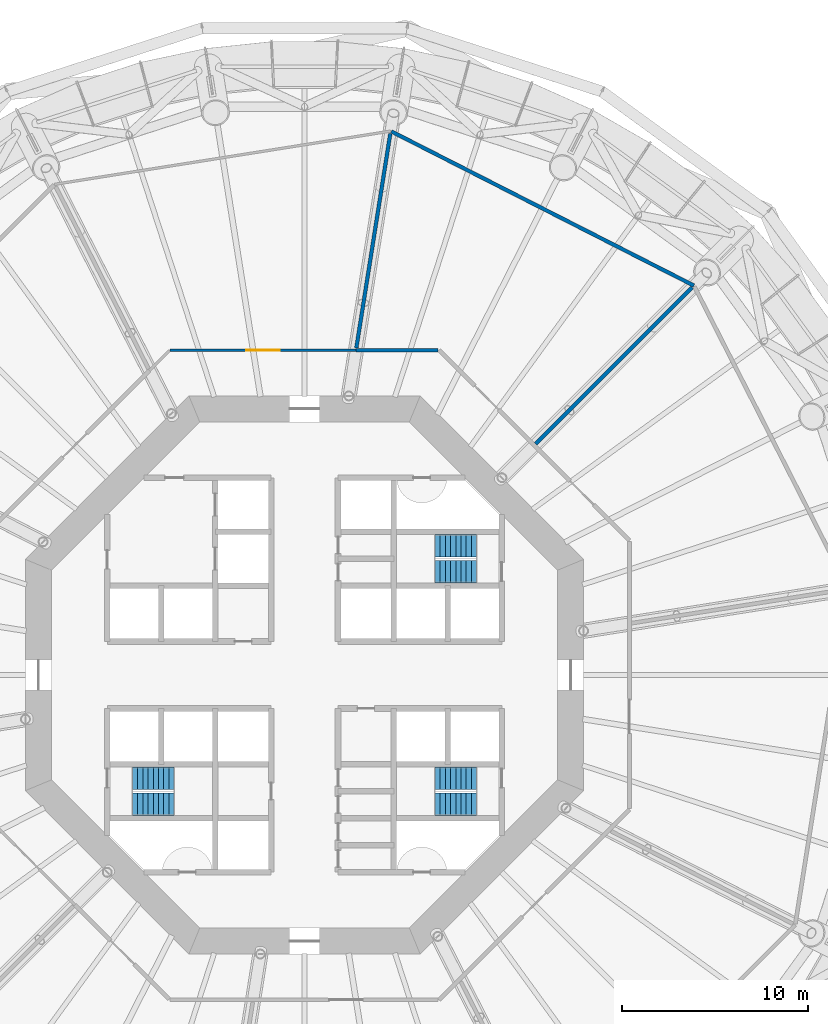
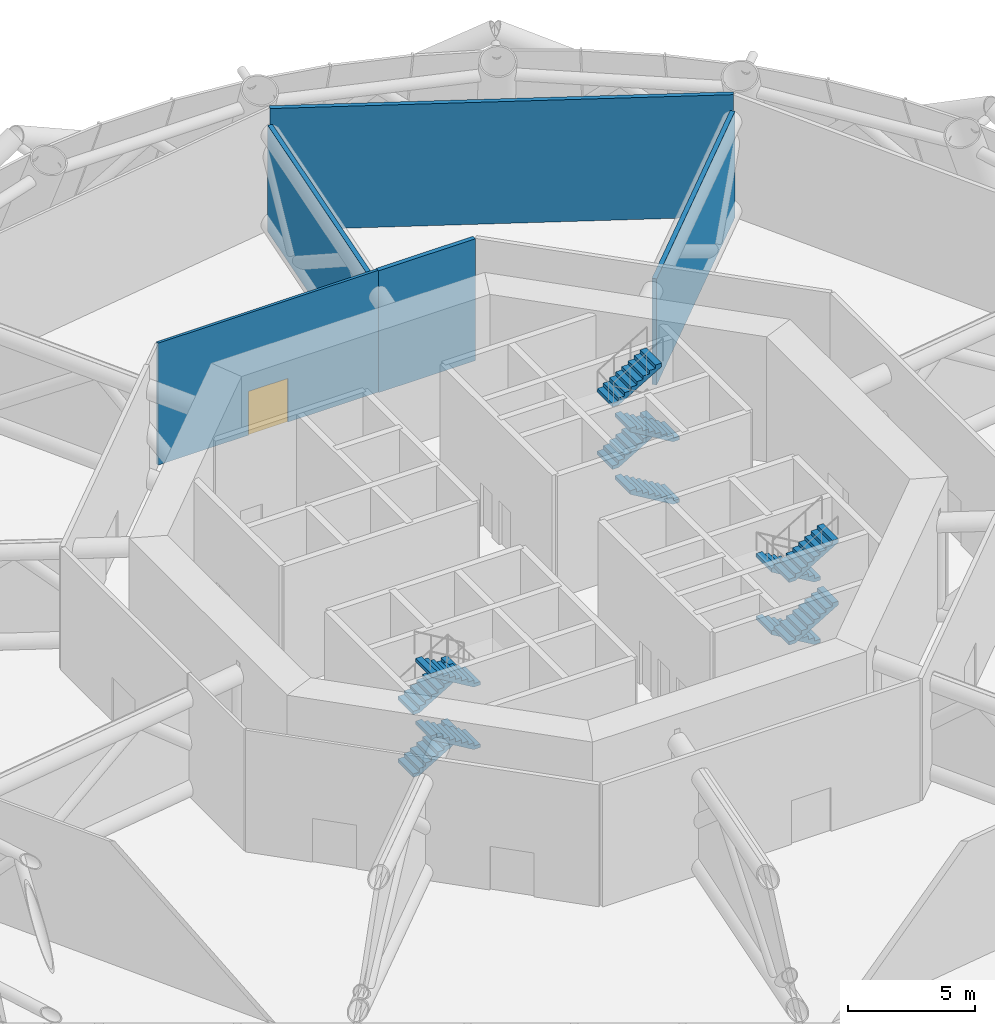
# One storey, part 10 of 14: 12 stair flights, 5 walls, 1 door, 1 opening, 3 elements without a shape of their own.
"""IFC4 building model written with IfcOpenShell, lengths in metres."""

from ifc_helpers import new_model, si_unit, direction, frame, frame_2d, origin, place, context, subcontext, project, spatial, polyline, rectangle, outline, extrude, material, layer, layer_set, type_object, element, fill, aggregate, save


model = new_model("IFC4")

# Units and contexts
model_context = context("Model", 3, precision=1e-05, world=origin(), true_north=direction((0.0, 1.0)))
body_context = subcontext(model_context, "Body", "Model", "MODEL_VIEW")
ifc_project = project(units=[si_unit("LENGTHUNIT", "METRE"), si_unit("AREAUNIT", "SQUARE_METRE"), si_unit("VOLUMEUNIT", "CUBIC_METRE"), si_unit("PLANEANGLEUNIT", "RADIAN"), si_unit("MASSUNIT", "GRAM", prefix="KILO")], contexts=[model_context])

# Site, building, storey
site_placement = place(None, origin())
site = spatial("IfcSite", under=ifc_project, at=site_placement, CompositionType="ELEMENT")
building_placement = place(site_placement, origin())
building = spatial("IfcBuilding", under=site, at=building_placement, Name="Entoto Ring Tower", CompositionType="ELEMENT")
storey_placement = place(building_placement, frame((0.0, 0.0, 74.0)))
storey = spatial("IfcBuildingStorey", under=building, at=storey_placement, Name="L16", CompositionType="ELEMENT", Elevation=74.0)

# Wall, opening, door
ifc_material_1 = material(Name="Fire-resisting plasterboard on steel studs", Category="steel")
ifc_layer_1 = layer(ifc_material_1, 0.125)
ifc_layer_set_1 = layer_set([ifc_layer_1], Name="Fire-resisting plasterboard on steel studs")
wall_type_1 = type_object("IfcWallType", Name="Corridor wall 125 mm one-hour plasterboard on steel studs", PredefinedType="PARTITIONING", material=ifc_layer_set_1)
wall_1_placement = place(storey_placement, frame((82.766845703125, 97.46240234375, 0.0), z_axis=(0.0, 0.0, 1.0), x_axis=(1.0, 0.0, 0.0)))
wall_1 = element("IfcWall", 1, at=wall_1_placement, inside=storey, type_object=wall_type_1, Name="partition-L16-003", PredefinedType="PARTITIONING", context=body_context, shape_type="SweptSolid", body=[
    extrude(rectangle(XDim=9.9990234375, YDim=0.125, at=frame_2d((4.99951171875, 0.0))), origin(), (0.0, 0.0, 1.0), 5.85009765625),
])
opening_placement = place(wall_1_placement, frame((4.099609375, 0.0, 0.0)))
opening = element("IfcOpeningElement", 2, at=opening_placement, cuts=wall_1, Name="Opening A07-D03", PredefinedType="OPENING", context=body_context, shape_type="SweptSolid", body=[
    extrude(rectangle(XDim=1.800048828125, YDim=2.10009765625, at=frame_2d((0.89990234375, 1.050048828125))), frame((0.0, 0.072509765625, 0.0), z_axis=(0.0, -1.0, 0.0), x_axis=(1.0, 0.0, 0.0)), (0.0, 0.0, 1.0), 0.14501953125),
])
ifc_material_2 = material(Name="Fire-resisting timber door set", Category="wood")
door_type = type_object("IfcDoorType", Name="Door 1800 x 2100 double leaf FD30S fire door", OperationType="DOUBLE_DOOR_SINGLE_SWING", PredefinedType="DOOR", material=ifc_material_2)
door_placement = place(opening_placement, origin())
door = element("IfcDoor", 3, at=door_placement, inside=storey, type_object=door_type, Name="Door A07-D03", OperationType="DOUBLE_DOOR_SINGLE_SWING", OverallHeight=2.10009765625, OverallWidth=1.800048828125, PredefinedType="DOOR", context=body_context, shape_type="SweptSolid", body=[
    extrude(rectangle(XDim=1.800048828125, YDim=2.10009765625, at=frame_2d((0.89990234375, 1.050048828125))), frame((0.0, 0.02490234375, 0.0), z_axis=(0.0, -1.0, 0.0), x_axis=(1.0, 0.0, 0.0)), (0.0, 0.0, 1.0), 0.050048828125),
])
fill(opening, door)

# Walls
ifc_material_3 = material(Name="Concrete C20/25", Category="concrete")
ifc_layer_2 = layer(ifc_material_3, 0.199951171875)
ifc_layer_set_2 = layer_set([ifc_layer_2], Name="Concrete C20/25")
wall_type_2 = type_object("IfcWallType", Name="Plant room wall 200 mm two-hour concrete", PredefinedType="PARTITIONING", material=ifc_layer_set_2)
wall_2_placement = place(storey_placement, frame((110.930419921875, 100.930419921875, 0.0), z_axis=(0.0, 0.0, 1.0), x_axis=(-0.891010309201, 0.453983071158, 0.0)))
element("IfcWall", 4, at=wall_2_placement, inside=storey, type_object=wall_type_2, Name="partition-L16-013", PredefinedType="PARTITIONING", context=body_context, shape_type="SweptSolid", body=[
    extrude(rectangle(XDim=18.257568359375, YDim=0.199951171875, at=frame_2d((9.12890625, 0.0))), origin(), (0.0, 0.0, 1.0), 5.85009765625),
])
wall_3_placement = place(storey_placement, frame((92.765869140625, 97.46240234375, 0.0), z_axis=(0.0, 0.0, 1.0), x_axis=(1.0, 0.0, 0.0)))
element("IfcWall", 5, at=wall_3_placement, inside=storey, type_object=wall_type_2, Name="partition-L16-032", PredefinedType="PARTITIONING", context=body_context, shape_type="SweptSolid", body=[
    extrude(rectangle(XDim=4.396728515625, YDim=0.199951171875, at=frame_2d((2.1982421875, 0.0))), origin(), (0.0, 0.0, 1.0), 5.85009765625),
])
ifc_material_4 = material(Name="Concrete C20/25", Category="concrete")
ifc_layer_3 = layer(ifc_material_4, 0.199951171875)
ifc_layer_set_3 = layer_set([ifc_layer_3], Name="Concrete C20/25")
wall_type_3 = type_object("IfcWallType", Name="Plant room wall 200 mm two-hour concrete, 5097 mm high", PredefinedType="PARTITIONING", material=ifc_layer_set_3)
wall_4_placement = place(storey_placement, frame((102.418701171875, 92.418701171875, 0.0), z_axis=(0.0, 0.0, 1.0), x_axis=(0.707106781187, 0.707106781187, 0.0)))
element("IfcWall", 6, at=wall_4_placement, inside=storey, type_object=wall_type_3, Name="partition-L16-021", PredefinedType="PARTITIONING", context=body_context, shape_type="SweptSolid", body=[
    extrude(rectangle(XDim=11.899658203125, YDim=0.199951171875, at=frame_2d((5.94970703125, 0.0))), origin(), (0.0, 0.0, 1.0), 5.096923828125),
])
wall_5_placement = place(storey_placement, frame((92.7841796875, 97.578125, 0.0), z_axis=(0.0, 0.0, 1.0), x_axis=(0.156421461862, 0.987690400008, 0.0)))
element("IfcWall", 7, at=wall_5_placement, inside=storey, type_object=wall_type_3, Name="partition-L16-024", PredefinedType="PARTITIONING", context=body_context, shape_type="SweptSolid", body=[
    extrude(rectangle(XDim=11.665283203125, YDim=0.199951171875, at=frame_2d((5.83251953125, 0.0))), origin(), (0.0, 0.0, 1.0), 5.096923828125),
])

# Stair, stair flights
ifc_material_5 = material(Name="Concrete C40/50", Category="concrete")
stair_type = type_object("IfcStairType", Name="Exit stair 1200 mm dog-leg reinforced concrete", PredefinedType="HALF_TURN_STAIR", material=ifc_material_5)
stair_1_placement = place(storey_placement, origin())
stair_1 = element("IfcStair", 8, at=stair_1_placement, inside=storey, type_object=stair_type, Name="Exit stair 1", PredefinedType="HALF_TURN_STAIR")
ifc_material_6 = material(Name="Concrete C40/50", Category="concrete")
stair_flight_type = type_object("IfcStairFlightType", Name="Stair flight 1200 mm reinforced concrete", PredefinedType="STRAIGHT", material=ifc_material_6)
stair_flight_1_placement = place(storey_placement, frame((99.25, 85.550048828125, 0.0), z_axis=(0.0, 0.0, 1.0), x_axis=(-1.0, 0.0, 0.0)))
stair_flight_1 = element("IfcStairFlight", 9, at=stair_flight_1_placement, type_object=stair_flight_type, Name="ST1 flight 1", NumberOfRisers=9, NumberOfTreads=8, PredefinedType="STRAIGHT", RiserHeight=0.166666667, TreadLength=0.28, context=body_context, shape_type="SweptSolid", body=[
    extrude(outline(polyline([(0.0, 0.0), (0.0, 0.166748046875), (0.280029296875, 0.166748046875), (0.280029296875, 0.333251953125), (0.56005859375, 0.333251953125), (0.56005859375, 0.5), (0.840087890625, 0.5), (0.840087890625, 0.666748046875), (1.1201171875, 0.666748046875), (1.1201171875, 0.833251953125), (1.39990234375, 0.833251953125), (1.39990234375, 1.0), (1.679931640625, 1.0), (1.679931640625, 1.166748046875), (1.9599609375, 1.166748046875), (1.9599609375, 1.333251953125), (2.239990234375, 1.333251953125), (2.239990234375, 1.5), (2.239990234375, 1.158935546875), (0.29296875, 0.0), (0.0, 0.0)])), frame((0.0, 0.60009765625, 0.0), z_axis=(0.0, -1.0, 0.0), x_axis=(1.0, 0.0, 0.0)), (0.0, 0.0, 1.0), 1.199951171875),
])
stair_flight_2_placement = place(storey_placement, frame((97.010009765625, 86.949951171875, 1.5), z_axis=(0.0, 0.0, 1.0), x_axis=(1.0, 0.0, 0.0)))
stair_flight_2 = element("IfcStairFlight", 10, at=stair_flight_2_placement, type_object=stair_flight_type, Name="ST1 flight 2", NumberOfRisers=9, NumberOfTreads=8, PredefinedType="STRAIGHT", RiserHeight=0.166666667, TreadLength=0.28, context=body_context, shape_type="SweptSolid", body=[
    extrude(outline(polyline([(0.0, 0.0), (0.0, 0.166748046875), (0.280029296875, 0.166748046875), (0.280029296875, 0.333251953125), (0.56005859375, 0.333251953125), (0.56005859375, 0.5), (0.840087890625, 0.5), (0.840087890625, 0.666748046875), (1.1201171875, 0.666748046875), (1.1201171875, 0.833251953125), (1.39990234375, 0.833251953125), (1.39990234375, 1.0), (1.679931640625, 1.0), (1.679931640625, 1.166748046875), (1.9599609375, 1.166748046875), (1.9599609375, 1.333251953125), (2.239990234375, 1.333251953125), (2.239990234375, 1.5), (2.239990234375, 1.158935546875), (0.29296875, 0.0), (0.0, 0.0)])), frame((0.0, 0.60009765625, 0.0), z_axis=(0.0, -1.0, 0.0), x_axis=(1.0, 0.0, 0.0)), (0.0, 0.0, 1.0), 1.199951171875),
])
stair_flight_3_placement = place(storey_placement, frame((99.25, 85.550048828125, 3.0), z_axis=(0.0, 0.0, 1.0), x_axis=(-1.0, 0.0, 0.0)))
stair_flight_3 = element("IfcStairFlight", 11, at=stair_flight_3_placement, type_object=stair_flight_type, Name="ST1 flight 3", NumberOfRisers=9, NumberOfTreads=8, PredefinedType="STRAIGHT", RiserHeight=0.166666667, TreadLength=0.28, context=body_context, shape_type="SweptSolid", body=[
    extrude(outline(polyline([(0.0, 0.0), (0.0, 0.166748046875), (0.280029296875, 0.166748046875), (0.280029296875, 0.333251953125), (0.56005859375, 0.333251953125), (0.56005859375, 0.5), (0.840087890625, 0.5), (0.840087890625, 0.666748046875), (1.1201171875, 0.666748046875), (1.1201171875, 0.833251953125), (1.39990234375, 0.833251953125), (1.39990234375, 1.0), (1.679931640625, 1.0), (1.679931640625, 1.166748046875), (1.9599609375, 1.166748046875), (1.9599609375, 1.333251953125), (2.239990234375, 1.333251953125), (2.239990234375, 1.5), (2.239990234375, 1.158935546875), (0.29296875, 0.0), (0.0, 0.0)])), frame((0.0, 0.60009765625, 0.0), z_axis=(0.0, -1.0, 0.0), x_axis=(1.0, 0.0, 0.0)), (0.0, 0.0, 1.0), 1.199951171875),
])
stair_flight_4_placement = place(storey_placement, frame((97.010009765625, 86.949951171875, 4.5), z_axis=(0.0, 0.0, 1.0), x_axis=(1.0, 0.0, 0.0)))
stair_flight_4 = element("IfcStairFlight", 12, at=stair_flight_4_placement, type_object=stair_flight_type, Name="ST1 flight 4", NumberOfRisers=9, NumberOfTreads=8, PredefinedType="STRAIGHT", RiserHeight=0.166666667, TreadLength=0.28, context=body_context, shape_type="SweptSolid", body=[
    extrude(outline(polyline([(0.0, 0.0), (0.0, 0.166748046875), (0.280029296875, 0.166748046875), (0.280029296875, 0.333251953125), (0.56005859375, 0.333251953125), (0.56005859375, 0.5), (0.840087890625, 0.5), (0.840087890625, 0.666748046875), (1.1201171875, 0.666748046875), (1.1201171875, 0.833251953125), (1.39990234375, 0.833251953125), (1.39990234375, 1.0), (1.679931640625, 1.0), (1.679931640625, 1.166748046875), (1.9599609375, 1.166748046875), (1.9599609375, 1.333251953125), (2.239990234375, 1.333251953125), (2.239990234375, 1.5), (2.239990234375, 1.158935546875), (0.29296875, 0.0), (0.0, 0.0)])), frame((0.0, 0.60009765625, 0.0), z_axis=(0.0, -1.0, 0.0), x_axis=(1.0, 0.0, 0.0)), (0.0, 0.0, 1.0), 1.199951171875),
])
aggregate(stair_1, [stair_flight_1, stair_flight_2, stair_flight_3, stair_flight_4])

stair_2_placement = place(storey_placement, origin())
stair_2 = element("IfcStair", 13, at=stair_2_placement, inside=storey, type_object=stair_type, Name="Exit stair 2", PredefinedType="HALF_TURN_STAIR")
stair_flight_5_placement = place(storey_placement, frame((80.75, 74.449951171875, 0.0), z_axis=(0.0, 0.0, 1.0), x_axis=(1.0, 0.0, 0.0)))
stair_flight_5 = element("IfcStairFlight", 14, at=stair_flight_5_placement, type_object=stair_flight_type, Name="ST2 flight 1", NumberOfRisers=9, NumberOfTreads=8, PredefinedType="STRAIGHT", RiserHeight=0.166666667, TreadLength=0.28, context=body_context, shape_type="SweptSolid", body=[
    extrude(outline(polyline([(0.0, 0.0), (0.0, 0.166748046875), (0.280029296875, 0.166748046875), (0.280029296875, 0.333251953125), (0.56005859375, 0.333251953125), (0.56005859375, 0.5), (0.840087890625, 0.5), (0.840087890625, 0.666748046875), (1.1201171875, 0.666748046875), (1.1201171875, 0.833251953125), (1.39990234375, 0.833251953125), (1.39990234375, 1.0), (1.679931640625, 1.0), (1.679931640625, 1.166748046875), (1.9599609375, 1.166748046875), (1.9599609375, 1.333251953125), (2.239990234375, 1.333251953125), (2.239990234375, 1.5), (2.239990234375, 1.158935546875), (0.29296875, 0.0), (0.0, 0.0)])), frame((0.0, 0.60009765625, 0.0), z_axis=(0.0, -1.0, 0.0), x_axis=(1.0, 0.0, 0.0)), (0.0, 0.0, 1.0), 1.199951171875),
])
stair_flight_6_placement = place(storey_placement, frame((82.989990234375, 73.050048828125, 1.5), z_axis=(0.0, 0.0, 1.0), x_axis=(-1.0, 0.0, 0.0)))
stair_flight_6 = element("IfcStairFlight", 15, at=stair_flight_6_placement, type_object=stair_flight_type, Name="ST2 flight 2", NumberOfRisers=9, NumberOfTreads=8, PredefinedType="STRAIGHT", RiserHeight=0.166666667, TreadLength=0.28, context=body_context, shape_type="SweptSolid", body=[
    extrude(outline(polyline([(0.0, 0.0), (0.0, 0.166748046875), (0.280029296875, 0.166748046875), (0.280029296875, 0.333251953125), (0.56005859375, 0.333251953125), (0.56005859375, 0.5), (0.840087890625, 0.5), (0.840087890625, 0.666748046875), (1.1201171875, 0.666748046875), (1.1201171875, 0.833251953125), (1.39990234375, 0.833251953125), (1.39990234375, 1.0), (1.679931640625, 1.0), (1.679931640625, 1.166748046875), (1.9599609375, 1.166748046875), (1.9599609375, 1.333251953125), (2.239990234375, 1.333251953125), (2.239990234375, 1.5), (2.239990234375, 1.158935546875), (0.29296875, 0.0), (0.0, 0.0)])), frame((0.0, 0.60009765625, 0.0), z_axis=(0.0, -1.0, 0.0), x_axis=(1.0, 0.0, 0.0)), (0.0, 0.0, 1.0), 1.199951171875),
])
stair_flight_7_placement = place(storey_placement, frame((80.75, 74.449951171875, 3.0), z_axis=(0.0, 0.0, 1.0), x_axis=(1.0, 0.0, 0.0)))
stair_flight_7 = element("IfcStairFlight", 16, at=stair_flight_7_placement, type_object=stair_flight_type, Name="ST2 flight 3", NumberOfRisers=9, NumberOfTreads=8, PredefinedType="STRAIGHT", RiserHeight=0.166666667, TreadLength=0.28, context=body_context, shape_type="SweptSolid", body=[
    extrude(outline(polyline([(0.0, 0.0), (0.0, 0.166748046875), (0.280029296875, 0.166748046875), (0.280029296875, 0.333251953125), (0.56005859375, 0.333251953125), (0.56005859375, 0.5), (0.840087890625, 0.5), (0.840087890625, 0.666748046875), (1.1201171875, 0.666748046875), (1.1201171875, 0.833251953125), (1.39990234375, 0.833251953125), (1.39990234375, 1.0), (1.679931640625, 1.0), (1.679931640625, 1.166748046875), (1.9599609375, 1.166748046875), (1.9599609375, 1.333251953125), (2.239990234375, 1.333251953125), (2.239990234375, 1.5), (2.239990234375, 1.158935546875), (0.29296875, 0.0), (0.0, 0.0)])), frame((0.0, 0.60009765625, 0.0), z_axis=(0.0, -1.0, 0.0), x_axis=(1.0, 0.0, 0.0)), (0.0, 0.0, 1.0), 1.199951171875),
])
stair_flight_8_placement = place(storey_placement, frame((82.989990234375, 73.050048828125, 4.5), z_axis=(0.0, 0.0, 1.0), x_axis=(-1.0, 0.0, 0.0)))
stair_flight_8 = element("IfcStairFlight", 17, at=stair_flight_8_placement, type_object=stair_flight_type, Name="ST2 flight 4", NumberOfRisers=9, NumberOfTreads=8, PredefinedType="STRAIGHT", RiserHeight=0.166666667, TreadLength=0.28, context=body_context, shape_type="SweptSolid", body=[
    extrude(outline(polyline([(0.0, 0.0), (0.0, 0.166748046875), (0.280029296875, 0.166748046875), (0.280029296875, 0.333251953125), (0.56005859375, 0.333251953125), (0.56005859375, 0.5), (0.840087890625, 0.5), (0.840087890625, 0.666748046875), (1.1201171875, 0.666748046875), (1.1201171875, 0.833251953125), (1.39990234375, 0.833251953125), (1.39990234375, 1.0), (1.679931640625, 1.0), (1.679931640625, 1.166748046875), (1.9599609375, 1.166748046875), (1.9599609375, 1.333251953125), (2.239990234375, 1.333251953125), (2.239990234375, 1.5), (2.239990234375, 1.158935546875), (0.29296875, 0.0), (0.0, 0.0)])), frame((0.0, 0.60009765625, 0.0), z_axis=(0.0, -1.0, 0.0), x_axis=(1.0, 0.0, 0.0)), (0.0, 0.0, 1.0), 1.199951171875),
])
aggregate(stair_2, [stair_flight_5, stair_flight_6, stair_flight_7, stair_flight_8])

stair_3_placement = place(storey_placement, origin())
stair_3 = element("IfcStair", 18, at=stair_3_placement, inside=storey, type_object=stair_type, Name="Exit stair 3", PredefinedType="HALF_TURN_STAIR")
stair_flight_9_placement = place(storey_placement, frame((99.25, 74.449951171875, 0.0), z_axis=(0.0, 0.0, 1.0), x_axis=(-1.0, 0.0, 0.0)))
stair_flight_9 = element("IfcStairFlight", 19, at=stair_flight_9_placement, type_object=stair_flight_type, Name="ST3 flight 1", NumberOfRisers=9, NumberOfTreads=8, PredefinedType="STRAIGHT", RiserHeight=0.166666667, TreadLength=0.28, context=body_context, shape_type="SweptSolid", body=[
    extrude(outline(polyline([(0.0, 0.0), (0.0, 0.166748046875), (0.280029296875, 0.166748046875), (0.280029296875, 0.333251953125), (0.56005859375, 0.333251953125), (0.56005859375, 0.5), (0.840087890625, 0.5), (0.840087890625, 0.666748046875), (1.1201171875, 0.666748046875), (1.1201171875, 0.833251953125), (1.39990234375, 0.833251953125), (1.39990234375, 1.0), (1.679931640625, 1.0), (1.679931640625, 1.166748046875), (1.9599609375, 1.166748046875), (1.9599609375, 1.333251953125), (2.239990234375, 1.333251953125), (2.239990234375, 1.5), (2.239990234375, 1.158935546875), (0.29296875, 0.0), (0.0, 0.0)])), frame((0.0, 0.60009765625, 0.0), z_axis=(0.0, -1.0, 0.0), x_axis=(1.0, 0.0, 0.0)), (0.0, 0.0, 1.0), 1.199951171875),
])
stair_flight_10_placement = place(storey_placement, frame((97.010009765625, 73.050048828125, 1.5), z_axis=(0.0, 0.0, 1.0), x_axis=(1.0, 0.0, 0.0)))
stair_flight_10 = element("IfcStairFlight", 20, at=stair_flight_10_placement, type_object=stair_flight_type, Name="ST3 flight 2", NumberOfRisers=9, NumberOfTreads=8, PredefinedType="STRAIGHT", RiserHeight=0.166666667, TreadLength=0.28, context=body_context, shape_type="SweptSolid", body=[
    extrude(outline(polyline([(0.0, 0.0), (0.0, 0.166748046875), (0.280029296875, 0.166748046875), (0.280029296875, 0.333251953125), (0.56005859375, 0.333251953125), (0.56005859375, 0.5), (0.840087890625, 0.5), (0.840087890625, 0.666748046875), (1.1201171875, 0.666748046875), (1.1201171875, 0.833251953125), (1.39990234375, 0.833251953125), (1.39990234375, 1.0), (1.679931640625, 1.0), (1.679931640625, 1.166748046875), (1.9599609375, 1.166748046875), (1.9599609375, 1.333251953125), (2.239990234375, 1.333251953125), (2.239990234375, 1.5), (2.239990234375, 1.158935546875), (0.29296875, 0.0), (0.0, 0.0)])), frame((0.0, 0.60009765625, 0.0), z_axis=(0.0, -1.0, 0.0), x_axis=(1.0, 0.0, 0.0)), (0.0, 0.0, 1.0), 1.199951171875),
])
stair_flight_11_placement = place(storey_placement, frame((99.25, 74.449951171875, 3.0), z_axis=(0.0, 0.0, 1.0), x_axis=(-1.0, 0.0, 0.0)))
stair_flight_11 = element("IfcStairFlight", 21, at=stair_flight_11_placement, type_object=stair_flight_type, Name="ST3 flight 3", NumberOfRisers=9, NumberOfTreads=8, PredefinedType="STRAIGHT", RiserHeight=0.166666667, TreadLength=0.28, context=body_context, shape_type="SweptSolid", body=[
    extrude(outline(polyline([(0.0, 0.0), (0.0, 0.166748046875), (0.280029296875, 0.166748046875), (0.280029296875, 0.333251953125), (0.56005859375, 0.333251953125), (0.56005859375, 0.5), (0.840087890625, 0.5), (0.840087890625, 0.666748046875), (1.1201171875, 0.666748046875), (1.1201171875, 0.833251953125), (1.39990234375, 0.833251953125), (1.39990234375, 1.0), (1.679931640625, 1.0), (1.679931640625, 1.166748046875), (1.9599609375, 1.166748046875), (1.9599609375, 1.333251953125), (2.239990234375, 1.333251953125), (2.239990234375, 1.5), (2.239990234375, 1.158935546875), (0.29296875, 0.0), (0.0, 0.0)])), frame((0.0, 0.60009765625, 0.0), z_axis=(0.0, -1.0, 0.0), x_axis=(1.0, 0.0, 0.0)), (0.0, 0.0, 1.0), 1.199951171875),
])
stair_flight_12_placement = place(storey_placement, frame((97.010009765625, 73.050048828125, 4.5), z_axis=(0.0, 0.0, 1.0), x_axis=(1.0, 0.0, 0.0)))
stair_flight_12 = element("IfcStairFlight", 22, at=stair_flight_12_placement, type_object=stair_flight_type, Name="ST3 flight 4", NumberOfRisers=9, NumberOfTreads=8, PredefinedType="STRAIGHT", RiserHeight=0.166666667, TreadLength=0.28, context=body_context, shape_type="SweptSolid", body=[
    extrude(outline(polyline([(0.0, 0.0), (0.0, 0.166748046875), (0.280029296875, 0.166748046875), (0.280029296875, 0.333251953125), (0.56005859375, 0.333251953125), (0.56005859375, 0.5), (0.840087890625, 0.5), (0.840087890625, 0.666748046875), (1.1201171875, 0.666748046875), (1.1201171875, 0.833251953125), (1.39990234375, 0.833251953125), (1.39990234375, 1.0), (1.679931640625, 1.0), (1.679931640625, 1.166748046875), (1.9599609375, 1.166748046875), (1.9599609375, 1.333251953125), (2.239990234375, 1.333251953125), (2.239990234375, 1.5), (2.239990234375, 1.158935546875), (0.29296875, 0.0), (0.0, 0.0)])), frame((0.0, 0.60009765625, 0.0), z_axis=(0.0, -1.0, 0.0), x_axis=(1.0, 0.0, 0.0)), (0.0, 0.0, 1.0), 1.199951171875),
])
aggregate(stair_3, [stair_flight_9, stair_flight_10, stair_flight_11, stair_flight_12])

save(model, "model.ifc")
